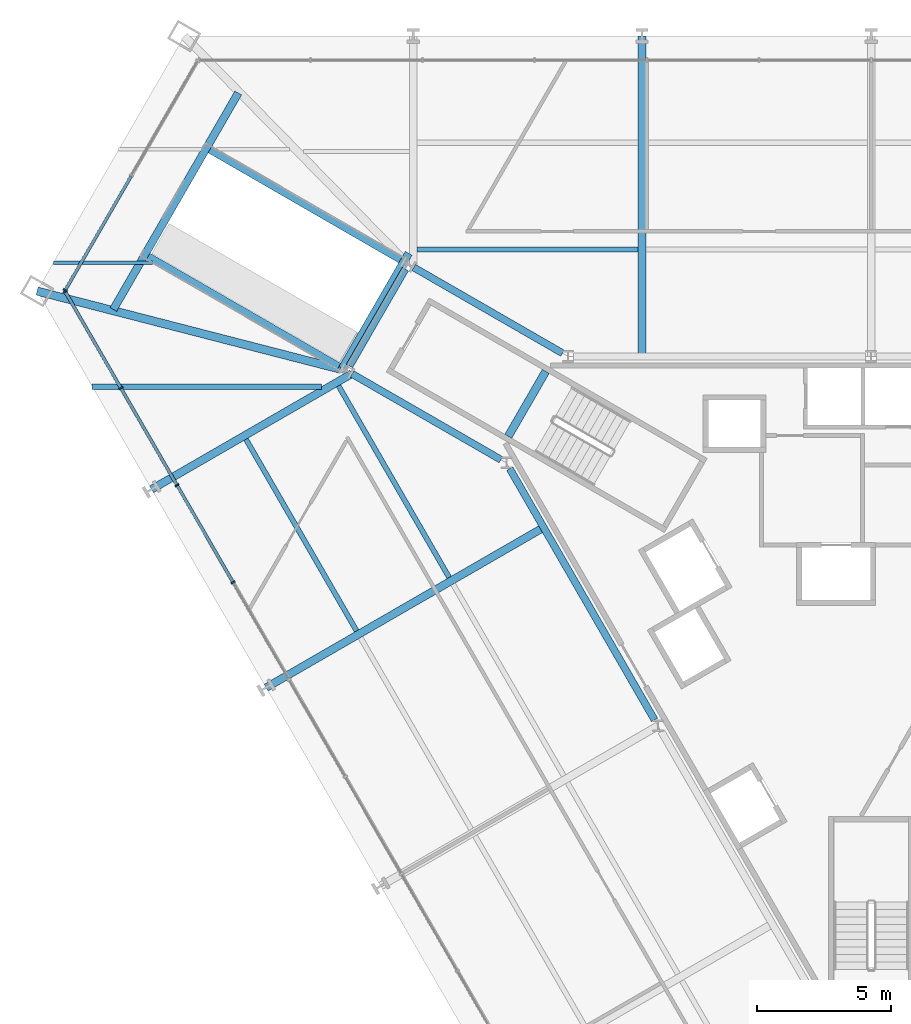
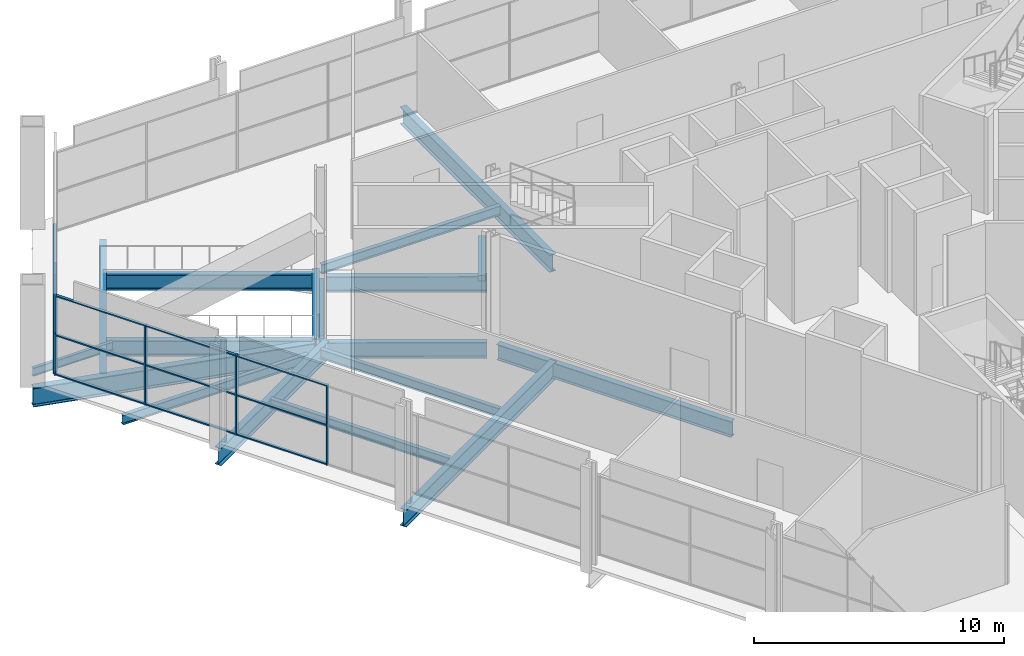
# One storey, part 6 of 20: 18 beams, 17 members, 2 elements without a shape of their own.
"""IFC4 building model written with IfcOpenShell, lengths in metres."""

from ifc_helpers import new_model, si_unit, direction, frame, origin, origin_2d, place, context, subcontext, project, spatial, rectangle, i_section, extrude, material, layer, layer_set, material_profile, profile_set, type_object, element, aggregate, save


model = new_model("IFC4")

# Units and contexts
model_context = context("Model", 3, precision=1e-05, world=origin(), true_north=direction((0.0, 1.0)))
body_context = subcontext(model_context, "Body", "Model", "MODEL_VIEW")
ifc_project = project(units=[si_unit("LENGTHUNIT", "METRE"), si_unit("AREAUNIT", "SQUARE_METRE"), si_unit("VOLUMEUNIT", "CUBIC_METRE"), si_unit("PLANEANGLEUNIT", "RADIAN"), si_unit("MASSUNIT", "GRAM", prefix="KILO")], contexts=[model_context])

# Site, building, storey
site_placement = place(None, origin())
site = spatial("IfcSite", under=ifc_project, at=site_placement, CompositionType="ELEMENT")
building_placement = place(site_placement, origin())
building = spatial("IfcBuilding", under=site, at=building_placement, Name="Verrane Prism Tower", CompositionType="ELEMENT")
storey_placement = place(building_placement, frame((0.0, 0.0, 17.39990234375)))
storey = spatial("IfcBuildingStorey", under=building, at=storey_placement, Name="L02", CompositionType="ELEMENT", Elevation=17.39990234375)

# Curtain wall, member
ifc_material_1 = material(Name="Aluminium and glass curtain wall", Category="aluminium")
ifc_layer = layer(ifc_material_1, 0.199951171875)
ifc_layer_set = layer_set([ifc_layer], Name="CWB-1 retail curtain wall")
curtain_wall_type = type_object("IfcCurtainWallType", Name="CWB-1 retail curtain wall", PredefinedType="NOTDEFINED", material=ifc_layer_set)
curtain_wall_1_placement = place(storey_placement, origin())
curtain_wall_1 = element("IfcCurtainWall", 1, at=curtain_wall_1_placement, inside=storey, type_object=curtain_wall_type, Name="Retail curtain wall L02 3", PredefinedType="NOTDEFINED")
ifc_material_2 = material(Name="Aluminium", Category="aluminium")
ifc_material_profile_1 = material_profile(ifc_material_2, rectangle(XDim=0.159912109375, YDim=0.06005859375, at=origin_2d()), Name="CWB-M 60x160 mullion")
ifc_profile_set_1 = profile_set([ifc_material_profile_1], Name="Aluminium")
member_type_1 = type_object("IfcMemberType", Name="CWB-M 60x160 mullion", PredefinedType="MULLION", material=ifc_profile_set_1)
member_1_placement = place(storey_placement, frame((-30.11328125, 11.669677734375, 0.0), z_axis=(0.0, 0.0, 1.0), x_axis=(0.866025871, -0.499999190758, 0.0)))
member_1 = element("IfcMember", 2, at=member_1_placement, type_object=member_type_1, Name="CWB23 mullion 3", PredefinedType="MULLION", context=body_context, shape_type="SweptSolid", body=[
    extrude(rectangle(XDim=0.159912109375, YDim=0.06005859375, at=origin_2d()), origin(), (0.0, 0.0, 1.0), 3.89013671875),
])

# Curtain wall, members
curtain_wall_2_placement = place(storey_placement, origin())
curtain_wall_2 = element("IfcCurtainWall", 3, at=curtain_wall_2_placement, inside=storey, type_object=curtain_wall_type, Name="Retail curtain wall L02 4", PredefinedType="NOTDEFINED")
member_2_placement = place(storey_placement, frame((-30.11328125, 11.61767578125, 0.0), z_axis=(0.0, 0.0, 1.0), x_axis=(0.866025335097, 0.50000011897, 0.0)))
member_2 = element("IfcMember", 4, at=member_2_placement, type_object=member_type_1, Name="CWB24 mullion 1", PredefinedType="MULLION", context=body_context, shape_type="SweptSolid", body=[
    extrude(rectangle(XDim=0.159912109375, YDim=0.06005859375, at=origin_2d()), origin(), (0.0, 0.0, 1.0), 3.89013671875),
])
member_3_placement = place(storey_placement, frame((-28.03271484375, 8.013916015625, 0.0), z_axis=(0.0, 0.0, 1.0), x_axis=(0.866025335097, 0.50000011897, 0.0)))
member_3 = element("IfcMember", 5, at=member_3_placement, type_object=member_type_1, Name="CWB24 mullion 2", PredefinedType="MULLION", context=body_context, shape_type="SweptSolid", body=[
    extrude(rectangle(XDim=0.159912109375, YDim=0.06005859375, at=origin_2d()), origin(), (0.0, 0.0, 1.0), 3.89013671875),
])
member_4_placement = place(storey_placement, frame((-25.93701171875, 4.384033203125, 0.0), z_axis=(0.0, 0.0, 1.0), x_axis=(0.866025335097, 0.50000011897, 0.0)))
member_4 = element("IfcMember", 6, at=member_4_placement, type_object=member_type_1, Name="CWB24 mullion 3", PredefinedType="MULLION", context=body_context, shape_type="SweptSolid", body=[
    extrude(rectangle(XDim=0.159912109375, YDim=0.06005859375, at=origin_2d()), origin(), (0.0, 0.0, 1.0), 3.89013671875),
])
member_5_placement = place(storey_placement, frame((-23.84130859375, 0.75439453125, 0.0), z_axis=(0.0, 0.0, 1.0), x_axis=(0.866025335097, 0.50000011897, 0.0)))
member_5 = element("IfcMember", 7, at=member_5_placement, type_object=member_type_1, Name="CWB24 mullion 4", PredefinedType="MULLION", context=body_context, shape_type="SweptSolid", body=[
    extrude(rectangle(XDim=0.159912109375, YDim=0.06005859375, at=origin_2d()), origin(), (0.0, 0.0, 1.0), 3.89013671875),
])

# Member
ifc_material_3 = material(Name="Aluminium", Category="aluminium")
ifc_material_profile_2 = material_profile(ifc_material_3, rectangle(XDim=0.1201171875, YDim=0.06005859375, at=origin_2d()), Name="CWB-T 60x120 transom")
ifc_profile_set_2 = profile_set([ifc_material_profile_2], Name="Aluminium")
member_type_2 = type_object("IfcMemberType", Name="CWB-T 60x120 transom", PredefinedType="USERDEFINED", material=ifc_profile_set_2)
member_6_placement = place(storey_placement, frame((-27.653076171875, 15.930908203125, 0.030029296875), z_axis=(-0.500004774777, -0.866022647048, 0.0), x_axis=(0.866022647048, -0.500004774777, 0.0)))
member_6 = element("IfcMember", 8, at=member_6_placement, type_object=member_type_2, Name="CWB23 transom 2.1", ObjectType="TRANSOM", PredefinedType="USERDEFINED", context=body_context, shape_type="SweptSolid", body=[
    extrude(rectangle(XDim=0.1201171875, YDim=0.06005859375, at=origin_2d()), origin(), (0.0, 0.0, 1.0), 4.890625),
])

member_7_placement = place(storey_placement, frame((-27.653076171875, 15.930908203125, 1.945068359375), z_axis=(-0.500004774777, -0.866022647048, 0.0), x_axis=(0.866022647048, -0.500004774777, 0.0)))
member_7 = element("IfcMember", 9, at=member_7_placement, type_object=member_type_2, Name="CWB23 transom 2.2", ObjectType="TRANSOM", PredefinedType="USERDEFINED", context=body_context, shape_type="SweptSolid", body=[
    extrude(rectangle(XDim=0.1201171875, YDim=0.06005859375, at=origin_2d()), origin(), (0.0, 0.0, 1.0), 4.890625),
])

member_8_placement = place(storey_placement, frame((-27.653076171875, 15.930908203125, 3.860107421875), z_axis=(-0.500004774777, -0.866022647048, 0.0), x_axis=(0.866022647048, -0.500004774777, 0.0)))
member_8 = element("IfcMember", 10, at=member_8_placement, type_object=member_type_2, Name="CWB23 transom 2.3", ObjectType="TRANSOM", PredefinedType="USERDEFINED", context=body_context, shape_type="SweptSolid", body=[
    extrude(rectangle(XDim=0.1201171875, YDim=0.06005859375, at=origin_2d()), origin(), (0.0, 0.0, 1.0), 4.890625),
])

aggregate(curtain_wall_1, [member_1, member_6, member_7, member_8])

member_9_placement = place(storey_placement, frame((-30.098388671875, 11.591796875, 0.030029296875), z_axis=(0.500005845305, -0.86602202897, 0.0), x_axis=(0.86602202897, 0.500005845305, 0.0)))
member_9 = element("IfcMember", 11, at=member_9_placement, type_object=member_type_2, Name="CWB24 transom 1.1", ObjectType="TRANSOM", PredefinedType="USERDEFINED", context=body_context, shape_type="SweptSolid", body=[
    extrude(rectangle(XDim=0.1201171875, YDim=0.06005859375, at=origin_2d()), origin(), (0.0, 0.0, 1.0), 4.1015625),
])

member_10_placement = place(storey_placement, frame((-30.098388671875, 11.591796875, 1.945068359375), z_axis=(0.500005845305, -0.86602202897, 0.0), x_axis=(0.86602202897, 0.500005845305, 0.0)))
member_10 = element("IfcMember", 12, at=member_10_placement, type_object=member_type_2, Name="CWB24 transom 1.2", ObjectType="TRANSOM", PredefinedType="USERDEFINED", context=body_context, shape_type="SweptSolid", body=[
    extrude(rectangle(XDim=0.1201171875, YDim=0.06005859375, at=origin_2d()), origin(), (0.0, 0.0, 1.0), 4.1015625),
])

member_11_placement = place(storey_placement, frame((-30.098388671875, 11.591796875, 3.860107421875), z_axis=(0.500005845305, -0.86602202897, 0.0), x_axis=(0.86602202897, 0.500005845305, 0.0)))
member_11 = element("IfcMember", 13, at=member_11_placement, type_object=member_type_2, Name="CWB24 transom 1.3", ObjectType="TRANSOM", PredefinedType="USERDEFINED", context=body_context, shape_type="SweptSolid", body=[
    extrude(rectangle(XDim=0.1201171875, YDim=0.06005859375, at=origin_2d()), origin(), (0.0, 0.0, 1.0), 4.1015625),
])

member_12_placement = place(storey_placement, frame((-28.017578125, 7.988037109375, 0.030029296875), z_axis=(0.499996977546, -0.866027148792, 0.0), x_axis=(0.866027148792, 0.499996977546, 0.0)))
member_12 = element("IfcMember", 14, at=member_12_placement, type_object=member_type_2, Name="CWB24 transom 2.1", ObjectType="TRANSOM", PredefinedType="USERDEFINED", context=body_context, shape_type="SweptSolid", body=[
    extrude(rectangle(XDim=0.1201171875, YDim=0.06005859375, at=origin_2d()), origin(), (0.0, 0.0, 1.0), 4.13134765625),
])

member_13_placement = place(storey_placement, frame((-28.017578125, 7.988037109375, 1.945068359375), z_axis=(0.499996977546, -0.866027148792, 0.0), x_axis=(0.866027148792, 0.499996977546, 0.0)))
member_13 = element("IfcMember", 15, at=member_13_placement, type_object=member_type_2, Name="CWB24 transom 2.2", ObjectType="TRANSOM", PredefinedType="USERDEFINED", context=body_context, shape_type="SweptSolid", body=[
    extrude(rectangle(XDim=0.1201171875, YDim=0.06005859375, at=origin_2d()), origin(), (0.0, 0.0, 1.0), 4.13134765625),
])

member_14_placement = place(storey_placement, frame((-28.017578125, 7.988037109375, 3.860107421875), z_axis=(0.499996977546, -0.866027148792, 0.0), x_axis=(0.866027148792, 0.499996977546, 0.0)))
member_14 = element("IfcMember", 16, at=member_14_placement, type_object=member_type_2, Name="CWB24 transom 2.3", ObjectType="TRANSOM", PredefinedType="USERDEFINED", context=body_context, shape_type="SweptSolid", body=[
    extrude(rectangle(XDim=0.1201171875, YDim=0.06005859375, at=origin_2d()), origin(), (0.0, 0.0, 1.0), 4.13134765625),
])

member_15_placement = place(storey_placement, frame((-25.921875, 4.358154296875, 0.030029296875), z_axis=(0.499996977546, -0.866027148792, 0.0), x_axis=(0.866027148792, 0.499996977546, 0.0)))
member_15 = element("IfcMember", 17, at=member_15_placement, type_object=member_type_2, Name="CWB24 transom 3.1", ObjectType="TRANSOM", PredefinedType="USERDEFINED", context=body_context, shape_type="SweptSolid", body=[
    extrude(rectangle(XDim=0.1201171875, YDim=0.06005859375, at=origin_2d()), origin(), (0.0, 0.0, 1.0), 4.13134765625),
])

member_16_placement = place(storey_placement, frame((-25.921875, 4.358154296875, 1.945068359375), z_axis=(0.499996977546, -0.866027148792, 0.0), x_axis=(0.866027148792, 0.499996977546, 0.0)))
member_16 = element("IfcMember", 18, at=member_16_placement, type_object=member_type_2, Name="CWB24 transom 3.2", ObjectType="TRANSOM", PredefinedType="USERDEFINED", context=body_context, shape_type="SweptSolid", body=[
    extrude(rectangle(XDim=0.1201171875, YDim=0.06005859375, at=origin_2d()), origin(), (0.0, 0.0, 1.0), 4.13134765625),
])

member_17_placement = place(storey_placement, frame((-25.921875, 4.358154296875, 3.860107421875), z_axis=(0.499996977546, -0.866027148792, 0.0), x_axis=(0.866027148792, 0.499996977546, 0.0)))
member_17 = element("IfcMember", 19, at=member_17_placement, type_object=member_type_2, Name="CWB24 transom 3.3", ObjectType="TRANSOM", PredefinedType="USERDEFINED", context=body_context, shape_type="SweptSolid", body=[
    extrude(rectangle(XDim=0.1201171875, YDim=0.06005859375, at=origin_2d()), origin(), (0.0, 0.0, 1.0), 4.13134765625),
])

aggregate(curtain_wall_2, [member_2, member_3, member_4, member_5, member_9, member_10, member_11, member_12, member_13, member_14, member_15, member_16, member_17])

# Beams
ifc_material_4 = material(Name="Steel A992", Category="steel")
ifc_material_profile_3 = material_profile(ifc_material_4, i_section(OverallWidth=0.2666015625, OverallDepth=0.76708984375, WebThickness=0.014892578125, FlangeThickness=0.023681640625, FilletRadius=0.0166015625, at=origin_2d()), Name="W30x124")
ifc_profile_set_3 = profile_set([ifc_material_profile_3], Name="Steel A992")
beam_type_1 = type_object("IfcBeamType", Name="Core ring girder W30x124", PredefinedType="BEAM", material=ifc_profile_set_3)
beam_1_placement = place(storey_placement, frame((-11.53564453125, 9.318603515625, -0.63330078125), z_axis=(-0.866455356291, 0.499254559873, 0.0), x_axis=(-0.499254559873, -0.866455356291, 0.0)))
element("IfcBeam", 20, at=beam_1_placement, inside=storey, type_object=beam_type_1, Name="Core ring girder L02", PredefinedType="BEAM", context=body_context, shape_type="SweptSolid", body=[
    extrude(i_section(OverallWidth=0.2666015625, OverallDepth=0.76708984375, WebThickness=0.014892578125, FlangeThickness=0.023681640625, FilletRadius=0.0166015625, at=origin_2d()), origin(), (0.0, 0.0, 1.0), 6.415283203125),
])
beam_2_placement = place(storey_placement, frame((-17.406005859375, 12.456298828125, -0.63330078125), z_axis=(-0.500367275473, -0.865813253326, 0.0), x_axis=(0.865813253326, -0.500367275473, 0.0)))
element("IfcBeam", 21, at=beam_2_placement, inside=storey, type_object=beam_type_1, Name="Core ring girder L02", PredefinedType="BEAM", context=body_context, shape_type="SweptSolid", body=[
    extrude(i_section(OverallWidth=0.2666015625, OverallDepth=0.76708984375, WebThickness=0.014892578125, FlangeThickness=0.023681640625, FilletRadius=0.0166015625, at=origin_2d()), origin(), (0.0, 0.0, 1.0), 4.172607421875),
])
beam_3_placement = place(storey_placement, frame((-19.394287109375, 8.54150390625, -0.63330078125), z_axis=(0.866455356291, -0.499254559873, 0.0), x_axis=(0.499254559873, 0.866455356291, 0.0)))
element("IfcBeam", 22, at=beam_3_placement, inside=storey, type_object=beam_type_1, Name="Core ring girder L02", PredefinedType="BEAM", context=body_context, shape_type="SweptSolid", body=[
    extrude(i_section(OverallWidth=0.2666015625, OverallDepth=0.76708984375, WebThickness=0.014892578125, FlangeThickness=0.023681640625, FilletRadius=0.0166015625, at=origin_2d()), origin(), (0.0, 0.0, 1.0), 6.415283203125),
])
beam_4_placement = place(storey_placement, frame((-13.5048828125, 5.002685546875, -0.63330078125), z_axis=(0.499373178085, -0.866386997253, 0.0), x_axis=(0.866386997253, 0.499373178085, 0.0)))
element("IfcBeam", 23, at=beam_4_placement, inside=storey, type_object=beam_type_1, Name="Core ring girder L02", PredefinedType="BEAM", context=body_context, shape_type="SweptSolid", body=[
    extrude(i_section(OverallWidth=0.2666015625, OverallDepth=0.76708984375, WebThickness=0.014892578125, FlangeThickness=0.023681640625, FilletRadius=0.0166015625, at=origin_2d()), origin(), (0.0, 0.0, 1.0), 10.8330078125),
])
ifc_material_5 = material(Name="Steel A992", Category="steel")
ifc_material_profile_4 = material_profile(ifc_material_5, i_section(OverallWidth=0.307373046875, OverallDepth=0.927001953125, WebThickness=0.01953125, FlangeThickness=0.031982421875, FilletRadius=0.01904296875, at=origin_2d()), Name="W36x194")
ifc_profile_set_4 = profile_set([ifc_material_profile_4], Name="Steel A992")
beam_type_2 = type_object("IfcBeamType", Name="Corner girder W36x194", PredefinedType="BEAM", material=ifc_profile_set_4)
beam_5_placement = place(storey_placement, frame((-31.16455078125, 11.638671875, -0.68359375), z_axis=(0.968392733058, -0.249430380188, 0.0), x_axis=(0.249430380188, 0.968392733058, 0.0)))
element("IfcBeam", 24, at=beam_5_placement, inside=storey, type_object=beam_type_2, Name="Corner girder L02", PredefinedType="BEAM", context=body_context, shape_type="SweptSolid", body=[
    extrude(i_section(OverallWidth=0.307373046875, OverallDepth=0.927001953125, WebThickness=0.01953125, FlangeThickness=0.031982421875, FilletRadius=0.01904296875, at=origin_2d()), origin(), (0.0, 0.0, 1.0), 11.695556640625),
])
ifc_material_6 = material(Name="Steel A992", Category="steel")
ifc_material_profile_5 = material_profile(ifc_material_6, i_section(OverallWidth=0.140380859375, OverallDepth=0.40380859375, WebThickness=0.007080078125, FlangeThickness=0.01123046875, FilletRadius=0.01025390625, at=origin_2d()), Name="W16x31")
ifc_profile_set_5 = profile_set([ifc_material_profile_5], Name="Steel A992")
beam_type_3 = type_object("IfcBeamType", Name="Floor beam W16x31", PredefinedType="BEAM", material=ifc_profile_set_5)
beam_6_placement = place(storey_placement, frame((-30.55810546875, 12.699951171875, -0.36181640625), z_axis=(1.0, 0.0, 0.0), x_axis=(0.0, 1.0, 0.0)))
element("IfcBeam", 25, at=beam_6_placement, inside=storey, type_object=beam_type_3, Name="Floor beam L02", PredefinedType="BEAM", context=body_context, shape_type="SweptSolid", body=[
    extrude(i_section(OverallWidth=0.140380859375, OverallDepth=0.40380859375, WebThickness=0.007080078125, FlangeThickness=0.01123046875, FilletRadius=0.01025390625, at=origin_2d()), origin(), (0.0, 0.0, 1.0), 3.697509765625),
])
ifc_material_7 = material(Name="Steel A992", Category="steel")
ifc_material_profile_6 = material_profile(ifc_material_7, i_section(OverallWidth=0.1904296875, OverallDepth=0.457275390625, WebThickness=0.009033203125, FlangeThickness=0.014404296875, FilletRadius=0.01025390625, at=origin_2d()), Name="W18x50")
ifc_profile_set_6 = profile_set([ifc_material_profile_6], Name="Steel A992")
beam_type_4 = type_object("IfcBeamType", Name="Floor beam W18x50", PredefinedType="BEAM", material=ifc_profile_set_6)
beam_7_placement = place(storey_placement, frame((-16.964111328125, 13.18994140625, -0.388427734375), z_axis=(1.0, 0.0, 0.0), x_axis=(0.0, 1.0, 0.0)))
element("IfcBeam", 26, at=beam_7_placement, inside=storey, type_object=beam_type_4, Name="Floor beam L02", PredefinedType="BEAM", context=body_context, shape_type="SweptSolid", body=[
    extrude(i_section(OverallWidth=0.1904296875, OverallDepth=0.457275390625, WebThickness=0.009033203125, FlangeThickness=0.014404296875, FilletRadius=0.01025390625, at=origin_2d()), origin(), (0.0, 0.0, 1.0), 8.258056640625),
])
beam_8_placement = place(storey_placement, frame((-29.10498046875, 8.06494140625, -0.388427734375), z_axis=(1.0, 0.0, 0.0), x_axis=(0.0, 1.0, 0.0)))
element("IfcBeam", 27, at=beam_8_placement, inside=storey, type_object=beam_type_4, Name="Floor beam L02", PredefinedType="BEAM", context=body_context, shape_type="SweptSolid", body=[
    extrude(i_section(OverallWidth=0.1904296875, OverallDepth=0.457275390625, WebThickness=0.009033203125, FlangeThickness=0.014404296875, FilletRadius=0.01025390625, at=origin_2d()), origin(), (0.0, 0.0, 1.0), 8.563232421875),
])
beam_9_placement = place(storey_placement, frame((-15.769287109375, 0.93994140625, -0.388427734375), z_axis=(-0.500018214608, 0.86601488732, 0.0), x_axis=(-0.86601488732, -0.500018214608, 0.0)))
element("IfcBeam", 28, at=beam_9_placement, inside=storey, type_object=beam_type_4, Name="Floor beam L02", PredefinedType="BEAM", context=body_context, shape_type="SweptSolid", body=[
    extrude(i_section(OverallWidth=0.1904296875, OverallDepth=0.457275390625, WebThickness=0.009033203125, FlangeThickness=0.014404296875, FilletRadius=0.01025390625, at=origin_2d()), origin(), (0.0, 0.0, 1.0), 8.264892578125),
])
beam_10_placement = place(storey_placement, frame((-19.226806640625, -1.05712890625, -0.388427734375), z_axis=(-0.500005423512, 0.866022272496, 0.0), x_axis=(-0.866022272496, -0.500005423512, 0.0)))
element("IfcBeam", 29, at=beam_10_placement, inside=storey, type_object=beam_type_4, Name="Floor beam L02", PredefinedType="BEAM", context=body_context, shape_type="SweptSolid", body=[
    extrude(i_section(OverallWidth=0.1904296875, OverallDepth=0.457275390625, WebThickness=0.009033203125, FlangeThickness=0.014404296875, FilletRadius=0.01025390625, at=origin_2d()), origin(), (0.0, 0.0, 1.0), 8.26513671875),
])
ifc_material_8 = material(Name="Steel A992", Category="steel")
ifc_material_profile_7 = material_profile(ifc_material_8, i_section(OverallWidth=0.2919921875, OverallDepth=0.845703125, WebThickness=0.015380859375, FlangeThickness=0.0244140625, FilletRadius=0.017822265625, at=origin_2d()), Name="W33x141")
ifc_profile_set_7 = profile_set([ifc_material_profile_7], Name="Steel A992")
beam_type_5 = type_object("IfcBeamType", Name="Radial girder W33x141", PredefinedType="BEAM", material=ifc_profile_set_7)
beam_11_placement = place(storey_placement, frame((-8.56005859375, 21.169921875, -0.642822265625), z_axis=(0.0, -1.0, 0.0), x_axis=(1.0, 0.0, 0.0)))
element("IfcBeam", 30, at=beam_11_placement, inside=storey, type_object=beam_type_5, Name="Radial girder L02", PredefinedType="BEAM", context=body_context, shape_type="SweptSolid", body=[
    extrude(i_section(OverallWidth=0.2919921875, OverallDepth=0.845703125, WebThickness=0.015380859375, FlangeThickness=0.0244140625, FilletRadius=0.017822265625, at=origin_2d()), origin(), (0.0, 0.0, 1.0), 11.969970703125),
])
beam_12_placement = place(storey_placement, frame((-26.889892578125, 4.22998046875, -0.642822265625), z_axis=(0.866024167848, 0.500002140699, 0.0), x_axis=(-0.500002140699, 0.866024167848, 0.0)))
element("IfcBeam", 31, at=beam_12_placement, inside=storey, type_object=beam_type_5, Name="Radial girder L02", PredefinedType="BEAM", context=body_context, shape_type="SweptSolid", body=[
    extrude(i_section(OverallWidth=0.2919921875, OverallDepth=0.845703125, WebThickness=0.015380859375, FlangeThickness=0.0244140625, FilletRadius=0.017822265625, at=origin_2d()), origin(), (0.0, 0.0, 1.0), 8.63916015625),
])
beam_13_placement = place(storey_placement, frame((-22.610107421875, -3.179931640625, -0.642822265625), z_axis=(0.866031448669, 0.499989529807, 0.0), x_axis=(-0.499989529807, 0.866031448669, 0.0)))
element("IfcBeam", 32, at=beam_13_placement, inside=storey, type_object=beam_type_5, Name="Radial girder L02", PredefinedType="BEAM", context=body_context, shape_type="SweptSolid", body=[
    extrude(i_section(OverallWidth=0.2919921875, OverallDepth=0.845703125, WebThickness=0.015380859375, FlangeThickness=0.0244140625, FilletRadius=0.017822265625, at=origin_2d()), origin(), (0.0, 0.0, 1.0), 11.974853515625),
])
ifc_material_9 = material(Name="Steel A992", Category="steel")
ifc_material_profile_8 = material_profile(ifc_material_9, i_section(OverallWidth=0.2666015625, OverallDepth=0.76708984375, WebThickness=0.014892578125, FlangeThickness=0.023681640625, FilletRadius=0.0166015625, at=origin_2d()), Name="W30x124")
ifc_profile_set_8 = profile_set([ifc_material_profile_8], Name="Steel A992")
beam_type_6 = type_object("IfcBeamType", Name="Slab edge girder W30x124", PredefinedType="BEAM", material=ifc_profile_set_8)
beam_14_placement = place(storey_placement, frame((-17.58203125, 12.806884765625, -0.54345703125), z_axis=(-0.866034923029, 0.499983511822, 0.0), x_axis=(-0.499983511822, -0.866034923029, 0.0)))
element("IfcBeam", 33, at=beam_14_placement, inside=storey, type_object=beam_type_6, Name="Slab edge girder L02", PredefinedType="BEAM", context=body_context, shape_type="SweptSolid", body=[
    extrude(i_section(OverallWidth=0.2666015625, OverallDepth=0.76708984375, WebThickness=0.014892578125, FlangeThickness=0.023681640625, FilletRadius=0.0166015625, at=origin_2d()), origin(), (0.0, 0.0, 1.0), 8.230224609375),
])
beam_15_placement = place(storey_placement, frame((-27.009521484375, 12.93798828125, -0.54345703125), z_axis=(0.86602750728, -0.499996356621, 0.0), x_axis=(0.499996356621, 0.86602750728, 0.0)))
element("IfcBeam", 34, at=beam_15_placement, inside=storey, type_object=beam_type_6, Name="Slab edge girder L02", PredefinedType="BEAM", context=body_context, shape_type="SweptSolid", body=[
    extrude(i_section(OverallWidth=0.2666015625, OverallDepth=0.76708984375, WebThickness=0.014892578125, FlangeThickness=0.023681640625, FilletRadius=0.0166015625, at=origin_2d()), origin(), (0.0, 0.0, 1.0), 8.22998046875),
])
ifc_material_10 = material(Name="Steel A992", Category="steel")
ifc_material_profile_9 = material_profile(ifc_material_10, i_section(OverallWidth=0.2919921875, OverallDepth=0.845703125, WebThickness=0.015380859375, FlangeThickness=0.0244140625, FilletRadius=0.017822265625, at=origin_2d()), Name="W33x141")
ifc_profile_set_9 = profile_set([ifc_material_profile_9], Name="Steel A992")
beam_type_7 = type_object("IfcBeamType", Name="Slab edge girder W33x141", PredefinedType="BEAM", material=ifc_profile_set_9)
beam_16_placement = place(storey_placement, frame((-23.64794921875, 19.04052734375, -0.582763671875), z_axis=(-0.500003119808, -0.866023602555, 0.0), x_axis=(0.866023602555, -0.500003119808, 0.0)))
element("IfcBeam", 35, at=beam_16_placement, inside=storey, type_object=beam_type_7, Name="Slab edge girder L02", PredefinedType="BEAM", context=body_context, shape_type="SweptSolid", body=[
    extrude(i_section(OverallWidth=0.2919921875, OverallDepth=0.845703125, WebThickness=0.015380859375, FlangeThickness=0.0244140625, FilletRadius=0.017822265625, at=origin_2d()), origin(), (0.0, 0.0, 1.0), 9.3369140625),
])
beam_17_placement = place(storey_placement, frame((-19.761962890625, 8.75146484375, -0.582763671875), z_axis=(0.500002137087, 0.866024169933, 0.0), x_axis=(-0.866024169933, 0.500002137087, 0.0)))
element("IfcBeam", 36, at=beam_17_placement, inside=storey, type_object=beam_type_7, Name="Slab edge girder L02", PredefinedType="BEAM", context=body_context, shape_type="SweptSolid", body=[
    extrude(i_section(OverallWidth=0.2919921875, OverallDepth=0.845703125, WebThickness=0.015380859375, FlangeThickness=0.0244140625, FilletRadius=0.017822265625, at=origin_2d()), origin(), (0.0, 0.0, 1.0), 4.9619140625),
])
ifc_material_11 = material(Name="Concrete C40/50", Category="concrete")
ifc_material_profile_10 = material_profile(ifc_material_11, rectangle(XDim=0.300048828125, YDim=0.25, at=origin_2d()), Name="RC 300x250")
ifc_profile_set_10 = profile_set([ifc_material_profile_10], Name="Concrete C40/50")
beam_type_8 = type_object("IfcBeamType", Name="Stair landing trimmer beam 300x250 concrete C40/50", PredefinedType="BEAM", material=ifc_profile_set_10)
beam_18_placement = place(storey_placement, frame((-13.560546875, 6.212646484375, 2.175048828125), z_axis=(0.500049511043, 0.865996816683, 0.0), x_axis=(-0.865996816683, 0.500049511043, 0.0)))
element("IfcBeam", 37, at=beam_18_placement, inside=storey, type_object=beam_type_8, Name="Stair 2 landing trimmer beam", PredefinedType="BEAM", context=body_context, shape_type="SweptSolid", body=[
    extrude(rectangle(XDim=0.300048828125, YDim=0.25, at=origin_2d()), origin(), (0.0, 0.0, 1.0), 2.800048828125),
])

save(model, "model.ifc")
